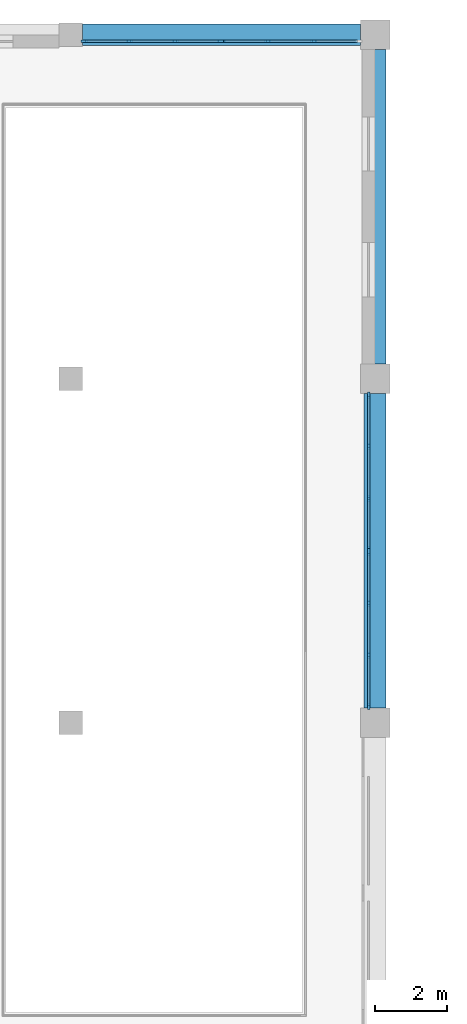
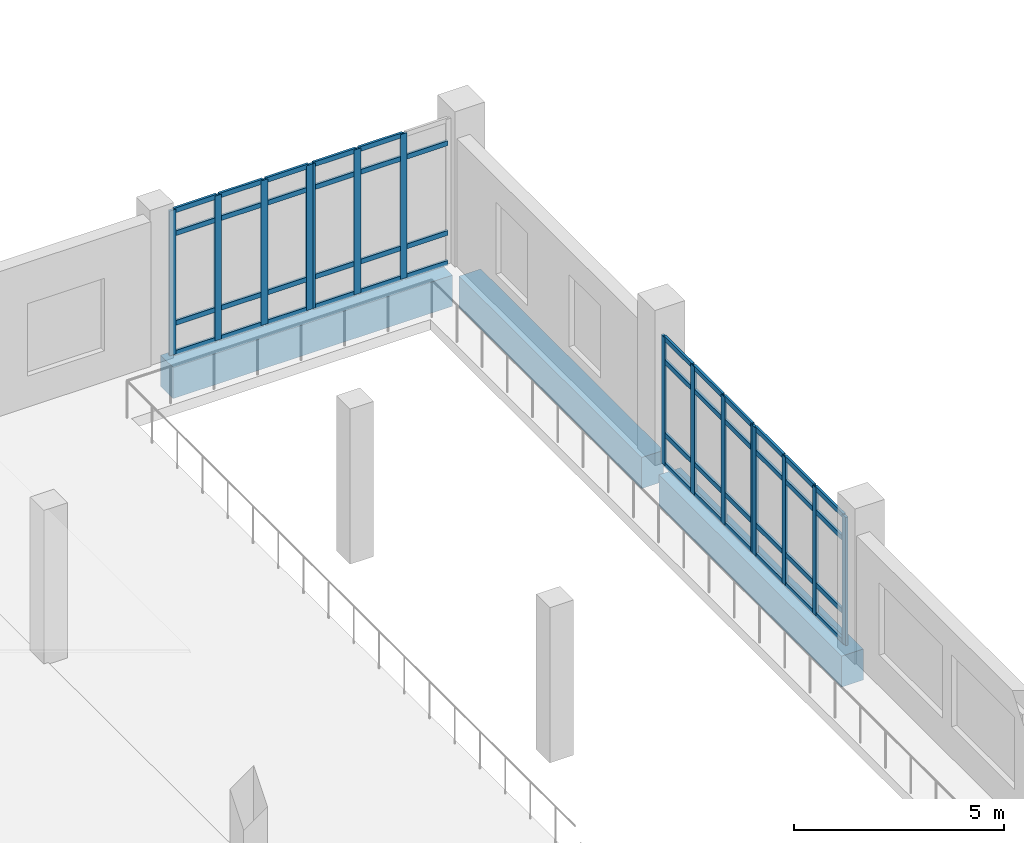
# One storey, part 18 of 54: 62 members, 3 beams, 4 elements without a shape of their own.
"""IFC4 building model written with IfcOpenShell, lengths in metres."""

from ifc_helpers import new_model, si_unit, direction, frame, origin, origin_2d, place, context, subcontext, project, spatial, rectangle, extrude, material, layer, layer_set, material_profile, profile_set, type_object, element, aggregate, save


model = new_model("IFC4")

# Units and contexts
model_context = context("Model", 3, precision=1e-05, world=origin(), true_north=direction((0.0, 1.0)))
body_context = subcontext(model_context, "Body", "Model", "MODEL_VIEW")
ifc_project = project(units=[si_unit("LENGTHUNIT", "METRE"), si_unit("AREAUNIT", "SQUARE_METRE"), si_unit("VOLUMEUNIT", "CUBIC_METRE"), si_unit("PLANEANGLEUNIT", "RADIAN"), si_unit("MASSUNIT", "GRAM", prefix="KILO")], contexts=[model_context])

# Site, building, storey
site_placement = place(None, origin())
site = spatial("IfcSite", under=ifc_project, at=site_placement, CompositionType="ELEMENT")
building_placement = place(site_placement, origin())
building = spatial("IfcBuilding", under=site, at=building_placement, Name="Kelarvand Opera House", CompositionType="ELEMENT")
storey_placement = place(building_placement, frame((0.0, 0.0, 15.0)))
storey = spatial("IfcBuildingStorey", under=building, at=storey_placement, Name="L03", CompositionType="ELEMENT", Elevation=15.0)

# Curtain wall, members
ifc_material_1 = material(Name="Thermally broken aluminium and low-E glazing", Category="aluminium")
ifc_layer_1 = layer(ifc_material_1, 0.179931640625, Name="Thermally broken aluminium and low-E glazing", Category="aluminium")
ifc_layer_set_1 = layer_set([ifc_layer_1], Name="Thermally broken aluminium and low-E glazing")
curtain_wall_type_1 = type_object("IfcCurtainWallType", Name="Unitised Low-E Curtain Wall 4326x3717 Mod 1350 CWF-20", PredefinedType="USERDEFINED", material=ifc_layer_set_1)
curtain_wall_1_placement = place(storey_placement, origin())
curtain_wall_1 = element("IfcCurtainWall", 1, at=curtain_wall_1_placement, inside=storey, type_object=curtain_wall_type_1, Name="V3 L03 Curtain Wall CWF-20 (87)", ObjectType="UNITISED CURTAIN WALL", PredefinedType="USERDEFINED")
ifc_material_2 = material(Name="Thermally broken anodised aluminium", Category="aluminium")
ifc_material_profile_1 = material_profile(ifc_material_2, rectangle(XDim=0.06494140625, YDim=0.179931640625, at=origin_2d()), Name="ALU MULLION 65x180", Category="aluminium")
ifc_profile_set_1 = profile_set([ifc_material_profile_1], Name="Thermally broken anodised aluminium")
member_type_1 = type_object("IfcMemberType", Name="Curtain Wall Mullion 65x180 Aluminium", PredefinedType="MULLION", material=ifc_profile_set_1)
member_1_placement = place(storey_placement, frame((50.820068359375, 115.047607421875, 0.0), z_axis=(0.0, 0.0, 1.0), x_axis=(1.0, 0.0, 0.0)))
member_1 = element("IfcMember", 2, at=member_1_placement, type_object=member_type_1, Name="CWF-20 mullion 1", PredefinedType="MULLION", context=body_context, shape_type="SweptSolid", body=[
    extrude(rectangle(XDim=0.06494140625, YDim=0.179931640625, at=origin_2d()), origin(), (0.0, 0.0, 1.0), 3.71728515625),
])
member_2_placement = place(storey_placement, frame((50.820068359375, 113.637939453125, 0.0), z_axis=(0.0, 0.0, 1.0), x_axis=(1.0, 0.0, 0.0)))
member_2 = element("IfcMember", 3, at=member_2_placement, type_object=member_type_1, Name="CWF-20 mullion 2", PredefinedType="MULLION", context=body_context, shape_type="SweptSolid", body=[
    extrude(rectangle(XDim=0.06494140625, YDim=0.179931640625, at=origin_2d()), origin(), (0.0, 0.0, 1.0), 3.71728515625),
])
member_3_placement = place(storey_placement, frame((50.820068359375, 112.196044921875, 0.0), z_axis=(0.0, 0.0, 1.0), x_axis=(1.0, 0.0, 0.0)))
member_3 = element("IfcMember", 4, at=member_3_placement, type_object=member_type_1, Name="CWF-20 mullion 3", PredefinedType="MULLION", context=body_context, shape_type="SweptSolid", body=[
    extrude(rectangle(XDim=0.06494140625, YDim=0.179931640625, at=origin_2d()), origin(), (0.0, 0.0, 1.0), 3.71728515625),
])
member_4_placement = place(storey_placement, frame((50.820068359375, 110.78662109375, 0.0), z_axis=(0.0, 0.0, 1.0), x_axis=(1.0, 0.0, 0.0)))
member_4 = element("IfcMember", 5, at=member_4_placement, type_object=member_type_1, Name="CWF-20 mullion 4", PredefinedType="MULLION", context=body_context, shape_type="SweptSolid", body=[
    extrude(rectangle(XDim=0.06494140625, YDim=0.179931640625, at=origin_2d()), origin(), (0.0, 0.0, 1.0), 3.71728515625),
])

curtain_wall_2_placement = place(storey_placement, origin())
curtain_wall_2 = element("IfcCurtainWall", 6, at=curtain_wall_2_placement, inside=storey, type_object=curtain_wall_type_1, Name="V3 L03 Curtain Wall CWF-20 (88)", ObjectType="UNITISED CURTAIN WALL", PredefinedType="USERDEFINED")
member_5_placement = place(storey_placement, frame((50.820068359375, 110.717529296875, 0.0), z_axis=(0.0, 0.0, 1.0), x_axis=(1.0, 0.0, 0.0)))
member_5 = element("IfcMember", 7, at=member_5_placement, type_object=member_type_1, Name="CWF-20 mullion 1", PredefinedType="MULLION", context=body_context, shape_type="SweptSolid", body=[
    extrude(rectangle(XDim=0.06494140625, YDim=0.179931640625, at=origin_2d()), origin(), (0.0, 0.0, 1.0), 3.71728515625),
])
member_6_placement = place(storey_placement, frame((50.820068359375, 109.306640625, 0.0), z_axis=(0.0, 0.0, 1.0), x_axis=(1.0, 0.0, 0.0)))
member_6 = element("IfcMember", 8, at=member_6_placement, type_object=member_type_1, Name="CWF-20 mullion 2", PredefinedType="MULLION", context=body_context, shape_type="SweptSolid", body=[
    extrude(rectangle(XDim=0.06494140625, YDim=0.179931640625, at=origin_2d()), origin(), (0.0, 0.0, 1.0), 3.71728515625),
])
member_7_placement = place(storey_placement, frame((50.820068359375, 107.86328125, 0.0), z_axis=(0.0, 0.0, 1.0), x_axis=(1.0, 0.0, 0.0)))
member_7 = element("IfcMember", 9, at=member_7_placement, type_object=member_type_1, Name="CWF-20 mullion 3", PredefinedType="MULLION", context=body_context, shape_type="SweptSolid", body=[
    extrude(rectangle(XDim=0.06494140625, YDim=0.179931640625, at=origin_2d()), origin(), (0.0, 0.0, 1.0), 3.71728515625),
])
member_8_placement = place(storey_placement, frame((50.820068359375, 106.452392578125, 0.0), z_axis=(0.0, 0.0, 1.0), x_axis=(1.0, 0.0, 0.0)))
member_8 = element("IfcMember", 10, at=member_8_placement, type_object=member_type_1, Name="CWF-20 mullion 4", PredefinedType="MULLION", context=body_context, shape_type="SweptSolid", body=[
    extrude(rectangle(XDim=0.06494140625, YDim=0.179931640625, at=origin_2d()), origin(), (0.0, 0.0, 1.0), 3.71728515625),
])

ifc_layer_2 = layer(ifc_material_1, 0.179931640625, Name="Thermally broken aluminium and low-E glazing", Category="aluminium")
ifc_layer_set_2 = layer_set([ifc_layer_2], Name="Thermally broken aluminium and low-E glazing")
curtain_wall_type_2 = type_object("IfcCurtainWallType", Name="Unitised Low-E Curtain Wall 3776x4200 Mod 1350 CWF-14", PredefinedType="USERDEFINED", material=ifc_layer_set_2)
curtain_wall_3_placement = place(storey_placement, origin())
curtain_wall_3 = element("IfcCurtainWall", 11, at=curtain_wall_3_placement, inside=storey, type_object=curtain_wall_type_2, Name="V3 L03 Curtain Wall CWF-14 (95)", ObjectType="UNITISED CURTAIN WALL", PredefinedType="USERDEFINED")
member_9_placement = place(storey_placement, frame((42.967529296875, 124.820068359375, 0.0), z_axis=(0.0, 0.0, 1.0), x_axis=(0.0, 1.0, 0.0)))
member_9 = element("IfcMember", 12, at=member_9_placement, type_object=member_type_1, Name="CWF-14 mullion 1", PredefinedType="MULLION", context=body_context, shape_type="SweptSolid", body=[
    extrude(rectangle(XDim=0.06494140625, YDim=0.179931640625, at=origin_2d()), origin(), (0.0, 0.0, 1.0), 4.199951171875),
])
member_10_placement = place(storey_placement, frame((44.207763671875, 124.820068359375, 0.0), z_axis=(0.0, 0.0, 1.0), x_axis=(0.0, 1.0, 0.0)))
member_10 = element("IfcMember", 13, at=member_10_placement, type_object=member_type_1, Name="CWF-14 mullion 2", PredefinedType="MULLION", context=body_context, shape_type="SweptSolid", body=[
    extrude(rectangle(XDim=0.06494140625, YDim=0.179931640625, at=origin_2d()), origin(), (0.0, 0.0, 1.0), 4.199951171875),
])
member_11_placement = place(storey_placement, frame((45.480712890625, 124.820068359375, 0.0), z_axis=(0.0, 0.0, 1.0), x_axis=(0.0, 1.0, 0.0)))
member_11 = element("IfcMember", 14, at=member_11_placement, type_object=member_type_1, Name="CWF-14 mullion 3", PredefinedType="MULLION", context=body_context, shape_type="SweptSolid", body=[
    extrude(rectangle(XDim=0.06494140625, YDim=0.179931640625, at=origin_2d()), origin(), (0.0, 0.0, 1.0), 4.199951171875),
])
member_12_placement = place(storey_placement, frame((46.720947265625, 124.820068359375, 0.0), z_axis=(0.0, 0.0, 1.0), x_axis=(0.0, 1.0, 0.0)))
member_12 = element("IfcMember", 15, at=member_12_placement, type_object=member_type_1, Name="CWF-14 mullion 4", PredefinedType="MULLION", context=body_context, shape_type="SweptSolid", body=[
    extrude(rectangle(XDim=0.06494140625, YDim=0.179931640625, at=origin_2d()), origin(), (0.0, 0.0, 1.0), 4.199951171875),
])

curtain_wall_4_placement = place(storey_placement, origin())
curtain_wall_4 = element("IfcCurtainWall", 16, at=curtain_wall_4_placement, inside=storey, type_object=curtain_wall_type_2, Name="V3 L03 Curtain Wall CWF-14 (96)", ObjectType="UNITISED CURTAIN WALL", PredefinedType="USERDEFINED")
member_13_placement = place(storey_placement, frame((46.7900390625, 124.820068359375, 0.0), z_axis=(0.0, 0.0, 1.0), x_axis=(0.0, 1.0, 0.0)))
member_13 = element("IfcMember", 17, at=member_13_placement, type_object=member_type_1, Name="CWF-14 mullion 1", PredefinedType="MULLION", context=body_context, shape_type="SweptSolid", body=[
    extrude(rectangle(XDim=0.06494140625, YDim=0.179931640625, at=origin_2d()), origin(), (0.0, 0.0, 1.0), 4.199951171875),
])
member_14_placement = place(storey_placement, frame((48.03173828125, 124.820068359375, 0.0), z_axis=(0.0, 0.0, 1.0), x_axis=(0.0, 1.0, 0.0)))
member_14 = element("IfcMember", 18, at=member_14_placement, type_object=member_type_1, Name="CWF-14 mullion 2", PredefinedType="MULLION", context=body_context, shape_type="SweptSolid", body=[
    extrude(rectangle(XDim=0.06494140625, YDim=0.179931640625, at=origin_2d()), origin(), (0.0, 0.0, 1.0), 4.199951171875),
])
member_15_placement = place(storey_placement, frame((49.305908203125, 124.820068359375, 0.0), z_axis=(0.0, 0.0, 1.0), x_axis=(0.0, 1.0, 0.0)))
member_15 = element("IfcMember", 19, at=member_15_placement, type_object=member_type_1, Name="CWF-14 mullion 3", PredefinedType="MULLION", context=body_context, shape_type="SweptSolid", body=[
    extrude(rectangle(XDim=0.06494140625, YDim=0.179931640625, at=origin_2d()), origin(), (0.0, 0.0, 1.0), 4.199951171875),
])

# Member
ifc_material_profile_2 = material_profile(ifc_material_2, rectangle(XDim=0.06494140625, YDim=0.139892578125, at=origin_2d()), Name="ALU TRANSOM 65x140", Category="aluminium")
ifc_profile_set_2 = profile_set([ifc_material_profile_2], Name="Thermally broken anodised aluminium")
member_type_2 = type_object("IfcMemberType", Name="Curtain Wall Transom 65x140 Aluminium", PredefinedType="USERDEFINED", material=ifc_profile_set_2)
member_16_placement = place(storey_placement, frame((50.820068359375, 115.014892578125, 0.032470703125), z_axis=(0.0, -1.0, 0.0), x_axis=(1.0, 0.0, 0.0)))
member_16 = element("IfcMember", 20, at=member_16_placement, type_object=member_type_2, Name="CWF-20 transom 1.1", ObjectType="TRANSOM", PredefinedType="USERDEFINED", context=body_context, shape_type="SweptSolid", body=[
    extrude(rectangle(XDim=0.06494140625, YDim=0.139892578125, at=origin_2d()), origin(), (0.0, 0.0, 1.0), 1.344482421875),
])

member_17_placement = place(storey_placement, frame((50.820068359375, 115.014892578125, 0.89990234375), z_axis=(0.0, -1.0, 0.0), x_axis=(1.0, 0.0, 0.0)))
member_17 = element("IfcMember", 21, at=member_17_placement, type_object=member_type_2, Name="CWF-20 transom 1.2", ObjectType="TRANSOM", PredefinedType="USERDEFINED", context=body_context, shape_type="SweptSolid", body=[
    extrude(rectangle(XDim=0.06494140625, YDim=0.139892578125, at=origin_2d()), origin(), (0.0, 0.0, 1.0), 1.344482421875),
])

member_18_placement = place(storey_placement, frame((50.820068359375, 115.014892578125, 3.01708984375), z_axis=(0.0, -1.0, 0.0), x_axis=(1.0, 0.0, 0.0)))
member_18 = element("IfcMember", 22, at=member_18_placement, type_object=member_type_2, Name="CWF-20 transom 1.3", ObjectType="TRANSOM", PredefinedType="USERDEFINED", context=body_context, shape_type="SweptSolid", body=[
    extrude(rectangle(XDim=0.06494140625, YDim=0.139892578125, at=origin_2d()), origin(), (0.0, 0.0, 1.0), 1.344482421875),
])

member_19_placement = place(storey_placement, frame((50.820068359375, 115.014892578125, 3.684814453125), z_axis=(0.0, -1.0, 0.0), x_axis=(1.0, 0.0, 0.0)))
member_19 = element("IfcMember", 23, at=member_19_placement, type_object=member_type_2, Name="CWF-20 transom 1.4", ObjectType="TRANSOM", PredefinedType="USERDEFINED", context=body_context, shape_type="SweptSolid", body=[
    extrude(rectangle(XDim=0.06494140625, YDim=0.139892578125, at=origin_2d()), origin(), (0.0, 0.0, 1.0), 1.344482421875),
])

member_20_placement = place(storey_placement, frame((50.820068359375, 113.60546875, 0.032470703125), z_axis=(0.0, -1.0, 0.0), x_axis=(1.0, 0.0, 0.0)))
member_20 = element("IfcMember", 24, at=member_20_placement, type_object=member_type_2, Name="CWF-20 transom 2.1", ObjectType="TRANSOM", PredefinedType="USERDEFINED", context=body_context, shape_type="SweptSolid", body=[
    extrude(rectangle(XDim=0.06494140625, YDim=0.139892578125, at=origin_2d()), origin(), (0.0, 0.0, 1.0), 1.376953125),
])

member_21_placement = place(storey_placement, frame((50.820068359375, 113.60546875, 0.89990234375), z_axis=(0.0, -1.0, 0.0), x_axis=(1.0, 0.0, 0.0)))
member_21 = element("IfcMember", 25, at=member_21_placement, type_object=member_type_2, Name="CWF-20 transom 2.2", ObjectType="TRANSOM", PredefinedType="USERDEFINED", context=body_context, shape_type="SweptSolid", body=[
    extrude(rectangle(XDim=0.06494140625, YDim=0.139892578125, at=origin_2d()), origin(), (0.0, 0.0, 1.0), 1.376953125),
])

member_22_placement = place(storey_placement, frame((50.820068359375, 113.60546875, 3.01708984375), z_axis=(0.0, -1.0, 0.0), x_axis=(1.0, 0.0, 0.0)))
member_22 = element("IfcMember", 26, at=member_22_placement, type_object=member_type_2, Name="CWF-20 transom 2.3", ObjectType="TRANSOM", PredefinedType="USERDEFINED", context=body_context, shape_type="SweptSolid", body=[
    extrude(rectangle(XDim=0.06494140625, YDim=0.139892578125, at=origin_2d()), origin(), (0.0, 0.0, 1.0), 1.376953125),
])

member_23_placement = place(storey_placement, frame((50.820068359375, 113.60546875, 3.684814453125), z_axis=(0.0, -1.0, 0.0), x_axis=(1.0, 0.0, 0.0)))
member_23 = element("IfcMember", 27, at=member_23_placement, type_object=member_type_2, Name="CWF-20 transom 2.4", ObjectType="TRANSOM", PredefinedType="USERDEFINED", context=body_context, shape_type="SweptSolid", body=[
    extrude(rectangle(XDim=0.06494140625, YDim=0.139892578125, at=origin_2d()), origin(), (0.0, 0.0, 1.0), 1.376953125),
])

member_24_placement = place(storey_placement, frame((50.820068359375, 112.16357421875, 0.032470703125), z_axis=(0.0, -1.0, 0.0), x_axis=(1.0, 0.0, 0.0)))
member_24 = element("IfcMember", 28, at=member_24_placement, type_object=member_type_2, Name="CWF-20 transom 3.1", ObjectType="TRANSOM", PredefinedType="USERDEFINED", context=body_context, shape_type="SweptSolid", body=[
    extrude(rectangle(XDim=0.06494140625, YDim=0.139892578125, at=origin_2d()), origin(), (0.0, 0.0, 1.0), 1.344482421875),
])

member_25_placement = place(storey_placement, frame((50.820068359375, 112.16357421875, 0.89990234375), z_axis=(0.0, -1.0, 0.0), x_axis=(1.0, 0.0, 0.0)))
member_25 = element("IfcMember", 29, at=member_25_placement, type_object=member_type_2, Name="CWF-20 transom 3.2", ObjectType="TRANSOM", PredefinedType="USERDEFINED", context=body_context, shape_type="SweptSolid", body=[
    extrude(rectangle(XDim=0.06494140625, YDim=0.139892578125, at=origin_2d()), origin(), (0.0, 0.0, 1.0), 1.344482421875),
])

member_26_placement = place(storey_placement, frame((50.820068359375, 112.16357421875, 3.01708984375), z_axis=(0.0, -1.0, 0.0), x_axis=(1.0, 0.0, 0.0)))
member_26 = element("IfcMember", 30, at=member_26_placement, type_object=member_type_2, Name="CWF-20 transom 3.3", ObjectType="TRANSOM", PredefinedType="USERDEFINED", context=body_context, shape_type="SweptSolid", body=[
    extrude(rectangle(XDim=0.06494140625, YDim=0.139892578125, at=origin_2d()), origin(), (0.0, 0.0, 1.0), 1.344482421875),
])

member_27_placement = place(storey_placement, frame((50.820068359375, 112.16357421875, 3.684814453125), z_axis=(0.0, -1.0, 0.0), x_axis=(1.0, 0.0, 0.0)))
member_27 = element("IfcMember", 31, at=member_27_placement, type_object=member_type_2, Name="CWF-20 transom 3.4", ObjectType="TRANSOM", PredefinedType="USERDEFINED", context=body_context, shape_type="SweptSolid", body=[
    extrude(rectangle(XDim=0.06494140625, YDim=0.139892578125, at=origin_2d()), origin(), (0.0, 0.0, 1.0), 1.344482421875),
])

aggregate(curtain_wall_1, [member_1, member_2, member_3, member_4, member_16, member_17, member_18, member_19, member_20, member_21, member_22, member_23, member_24, member_25, member_26, member_27])

member_28_placement = place(storey_placement, frame((50.820068359375, 110.68505859375, 0.032470703125), z_axis=(0.0, -1.0, 0.0), x_axis=(1.0, 0.0, 0.0)))
member_28 = element("IfcMember", 32, at=member_28_placement, type_object=member_type_2, Name="CWF-20 transom 1.1", ObjectType="TRANSOM", PredefinedType="USERDEFINED", context=body_context, shape_type="SweptSolid", body=[
    extrude(rectangle(XDim=0.06494140625, YDim=0.139892578125, at=origin_2d()), origin(), (0.0, 0.0, 1.0), 1.345947265625),
])

member_29_placement = place(storey_placement, frame((50.820068359375, 110.68505859375, 0.89990234375), z_axis=(0.0, -1.0, 0.0), x_axis=(1.0, 0.0, 0.0)))
member_29 = element("IfcMember", 33, at=member_29_placement, type_object=member_type_2, Name="CWF-20 transom 1.2", ObjectType="TRANSOM", PredefinedType="USERDEFINED", context=body_context, shape_type="SweptSolid", body=[
    extrude(rectangle(XDim=0.06494140625, YDim=0.139892578125, at=origin_2d()), origin(), (0.0, 0.0, 1.0), 1.345947265625),
])

member_30_placement = place(storey_placement, frame((50.820068359375, 110.68505859375, 3.01708984375), z_axis=(0.0, -1.0, 0.0), x_axis=(1.0, 0.0, 0.0)))
member_30 = element("IfcMember", 34, at=member_30_placement, type_object=member_type_2, Name="CWF-20 transom 1.3", ObjectType="TRANSOM", PredefinedType="USERDEFINED", context=body_context, shape_type="SweptSolid", body=[
    extrude(rectangle(XDim=0.06494140625, YDim=0.139892578125, at=origin_2d()), origin(), (0.0, 0.0, 1.0), 1.345947265625),
])

member_31_placement = place(storey_placement, frame((50.820068359375, 110.68505859375, 3.684814453125), z_axis=(0.0, -1.0, 0.0), x_axis=(1.0, 0.0, 0.0)))
member_31 = element("IfcMember", 35, at=member_31_placement, type_object=member_type_2, Name="CWF-20 transom 1.4", ObjectType="TRANSOM", PredefinedType="USERDEFINED", context=body_context, shape_type="SweptSolid", body=[
    extrude(rectangle(XDim=0.06494140625, YDim=0.139892578125, at=origin_2d()), origin(), (0.0, 0.0, 1.0), 1.345947265625),
])

member_32_placement = place(storey_placement, frame((50.820068359375, 109.274169921875, 0.032470703125), z_axis=(0.0, -1.0, 0.0), x_axis=(1.0, 0.0, 0.0)))
member_32 = element("IfcMember", 36, at=member_32_placement, type_object=member_type_2, Name="CWF-20 transom 2.1", ObjectType="TRANSOM", PredefinedType="USERDEFINED", context=body_context, shape_type="SweptSolid", body=[
    extrude(rectangle(XDim=0.06494140625, YDim=0.139892578125, at=origin_2d()), origin(), (0.0, 0.0, 1.0), 1.37841796875),
])

member_33_placement = place(storey_placement, frame((50.820068359375, 109.274169921875, 0.89990234375), z_axis=(0.0, -1.0, 0.0), x_axis=(1.0, 0.0, 0.0)))
member_33 = element("IfcMember", 37, at=member_33_placement, type_object=member_type_2, Name="CWF-20 transom 2.2", ObjectType="TRANSOM", PredefinedType="USERDEFINED", context=body_context, shape_type="SweptSolid", body=[
    extrude(rectangle(XDim=0.06494140625, YDim=0.139892578125, at=origin_2d()), origin(), (0.0, 0.0, 1.0), 1.37841796875),
])

member_34_placement = place(storey_placement, frame((50.820068359375, 109.274169921875, 3.01708984375), z_axis=(0.0, -1.0, 0.0), x_axis=(1.0, 0.0, 0.0)))
member_34 = element("IfcMember", 38, at=member_34_placement, type_object=member_type_2, Name="CWF-20 transom 2.3", ObjectType="TRANSOM", PredefinedType="USERDEFINED", context=body_context, shape_type="SweptSolid", body=[
    extrude(rectangle(XDim=0.06494140625, YDim=0.139892578125, at=origin_2d()), origin(), (0.0, 0.0, 1.0), 1.37841796875),
])

member_35_placement = place(storey_placement, frame((50.820068359375, 109.274169921875, 3.684814453125), z_axis=(0.0, -1.0, 0.0), x_axis=(1.0, 0.0, 0.0)))
member_35 = element("IfcMember", 39, at=member_35_placement, type_object=member_type_2, Name="CWF-20 transom 2.4", ObjectType="TRANSOM", PredefinedType="USERDEFINED", context=body_context, shape_type="SweptSolid", body=[
    extrude(rectangle(XDim=0.06494140625, YDim=0.139892578125, at=origin_2d()), origin(), (0.0, 0.0, 1.0), 1.37841796875),
])

member_36_placement = place(storey_placement, frame((50.820068359375, 107.830810546875, 0.032470703125), z_axis=(0.0, -1.0, 0.0), x_axis=(1.0, 0.0, 0.0)))
member_36 = element("IfcMember", 40, at=member_36_placement, type_object=member_type_2, Name="CWF-20 transom 3.1", ObjectType="TRANSOM", PredefinedType="USERDEFINED", context=body_context, shape_type="SweptSolid", body=[
    extrude(rectangle(XDim=0.06494140625, YDim=0.139892578125, at=origin_2d()), origin(), (0.0, 0.0, 1.0), 1.345703125),
])

member_37_placement = place(storey_placement, frame((50.820068359375, 107.830810546875, 0.89990234375), z_axis=(0.0, -1.0, 0.0), x_axis=(1.0, 0.0, 0.0)))
member_37 = element("IfcMember", 41, at=member_37_placement, type_object=member_type_2, Name="CWF-20 transom 3.2", ObjectType="TRANSOM", PredefinedType="USERDEFINED", context=body_context, shape_type="SweptSolid", body=[
    extrude(rectangle(XDim=0.06494140625, YDim=0.139892578125, at=origin_2d()), origin(), (0.0, 0.0, 1.0), 1.345703125),
])

member_38_placement = place(storey_placement, frame((50.820068359375, 107.830810546875, 3.01708984375), z_axis=(0.0, -1.0, 0.0), x_axis=(1.0, 0.0, 0.0)))
member_38 = element("IfcMember", 42, at=member_38_placement, type_object=member_type_2, Name="CWF-20 transom 3.3", ObjectType="TRANSOM", PredefinedType="USERDEFINED", context=body_context, shape_type="SweptSolid", body=[
    extrude(rectangle(XDim=0.06494140625, YDim=0.139892578125, at=origin_2d()), origin(), (0.0, 0.0, 1.0), 1.345703125),
])

member_39_placement = place(storey_placement, frame((50.820068359375, 107.830810546875, 3.684814453125), z_axis=(0.0, -1.0, 0.0), x_axis=(1.0, 0.0, 0.0)))
member_39 = element("IfcMember", 43, at=member_39_placement, type_object=member_type_2, Name="CWF-20 transom 3.4", ObjectType="TRANSOM", PredefinedType="USERDEFINED", context=body_context, shape_type="SweptSolid", body=[
    extrude(rectangle(XDim=0.06494140625, YDim=0.139892578125, at=origin_2d()), origin(), (0.0, 0.0, 1.0), 1.345703125),
])

aggregate(curtain_wall_2, [member_5, member_6, member_7, member_8, member_28, member_29, member_30, member_31, member_32, member_33, member_34, member_35, member_36, member_37, member_38, member_39])

member_40_placement = place(storey_placement, frame((43.0, 124.820068359375, 0.032470703125), z_axis=(1.0, 0.0, 0.0), x_axis=(0.0, 1.0, 0.0)))
member_40 = element("IfcMember", 44, at=member_40_placement, type_object=member_type_2, Name="CWF-14 transom 1.1", ObjectType="TRANSOM", PredefinedType="USERDEFINED", context=body_context, shape_type="SweptSolid", body=[
    extrude(rectangle(XDim=0.06494140625, YDim=0.139892578125, at=origin_2d()), origin(), (0.0, 0.0, 1.0), 1.17529296875),
])

member_41_placement = place(storey_placement, frame((43.0, 124.820068359375, 0.89990234375), z_axis=(1.0, 0.0, 0.0), x_axis=(0.0, 1.0, 0.0)))
member_41 = element("IfcMember", 45, at=member_41_placement, type_object=member_type_2, Name="CWF-14 transom 1.2", ObjectType="TRANSOM", PredefinedType="USERDEFINED", context=body_context, shape_type="SweptSolid", body=[
    extrude(rectangle(XDim=0.06494140625, YDim=0.139892578125, at=origin_2d()), origin(), (0.0, 0.0, 1.0), 1.17529296875),
])

member_42_placement = place(storey_placement, frame((43.0, 124.820068359375, 3.5), z_axis=(1.0, 0.0, 0.0), x_axis=(0.0, 1.0, 0.0)))
member_42 = element("IfcMember", 46, at=member_42_placement, type_object=member_type_2, Name="CWF-14 transom 1.3", ObjectType="TRANSOM", PredefinedType="USERDEFINED", context=body_context, shape_type="SweptSolid", body=[
    extrude(rectangle(XDim=0.06494140625, YDim=0.139892578125, at=origin_2d()), origin(), (0.0, 0.0, 1.0), 1.17529296875),
])

member_43_placement = place(storey_placement, frame((43.0, 124.820068359375, 4.16748046875), z_axis=(1.0, 0.0, 0.0), x_axis=(0.0, 1.0, 0.0)))
member_43 = element("IfcMember", 47, at=member_43_placement, type_object=member_type_2, Name="CWF-14 transom 1.4", ObjectType="TRANSOM", PredefinedType="USERDEFINED", context=body_context, shape_type="SweptSolid", body=[
    extrude(rectangle(XDim=0.06494140625, YDim=0.139892578125, at=origin_2d()), origin(), (0.0, 0.0, 1.0), 1.17529296875),
])

member_44_placement = place(storey_placement, frame((44.240234375, 124.820068359375, 0.032470703125), z_axis=(1.0, 0.0, 0.0), x_axis=(0.0, 1.0, 0.0)))
member_44 = element("IfcMember", 48, at=member_44_placement, type_object=member_type_2, Name="CWF-14 transom 2.1", ObjectType="TRANSOM", PredefinedType="USERDEFINED", context=body_context, shape_type="SweptSolid", body=[
    extrude(rectangle(XDim=0.06494140625, YDim=0.139892578125, at=origin_2d()), origin(), (0.0, 0.0, 1.0), 1.2080078125),
])

member_45_placement = place(storey_placement, frame((44.240234375, 124.820068359375, 0.89990234375), z_axis=(1.0, 0.0, 0.0), x_axis=(0.0, 1.0, 0.0)))
member_45 = element("IfcMember", 49, at=member_45_placement, type_object=member_type_2, Name="CWF-14 transom 2.2", ObjectType="TRANSOM", PredefinedType="USERDEFINED", context=body_context, shape_type="SweptSolid", body=[
    extrude(rectangle(XDim=0.06494140625, YDim=0.139892578125, at=origin_2d()), origin(), (0.0, 0.0, 1.0), 1.2080078125),
])

member_46_placement = place(storey_placement, frame((44.240234375, 124.820068359375, 3.5), z_axis=(1.0, 0.0, 0.0), x_axis=(0.0, 1.0, 0.0)))
member_46 = element("IfcMember", 50, at=member_46_placement, type_object=member_type_2, Name="CWF-14 transom 2.3", ObjectType="TRANSOM", PredefinedType="USERDEFINED", context=body_context, shape_type="SweptSolid", body=[
    extrude(rectangle(XDim=0.06494140625, YDim=0.139892578125, at=origin_2d()), origin(), (0.0, 0.0, 1.0), 1.2080078125),
])

member_47_placement = place(storey_placement, frame((44.240234375, 124.820068359375, 4.16748046875), z_axis=(1.0, 0.0, 0.0), x_axis=(0.0, 1.0, 0.0)))
member_47 = element("IfcMember", 51, at=member_47_placement, type_object=member_type_2, Name="CWF-14 transom 2.4", ObjectType="TRANSOM", PredefinedType="USERDEFINED", context=body_context, shape_type="SweptSolid", body=[
    extrude(rectangle(XDim=0.06494140625, YDim=0.139892578125, at=origin_2d()), origin(), (0.0, 0.0, 1.0), 1.2080078125),
])

member_48_placement = place(storey_placement, frame((45.51318359375, 124.820068359375, 0.032470703125), z_axis=(1.0, 0.0, 0.0), x_axis=(0.0, 1.0, 0.0)))
member_48 = element("IfcMember", 52, at=member_48_placement, type_object=member_type_2, Name="CWF-14 transom 3.1", ObjectType="TRANSOM", PredefinedType="USERDEFINED", context=body_context, shape_type="SweptSolid", body=[
    extrude(rectangle(XDim=0.06494140625, YDim=0.139892578125, at=origin_2d()), origin(), (0.0, 0.0, 1.0), 1.17529296875),
])

member_49_placement = place(storey_placement, frame((45.51318359375, 124.820068359375, 0.89990234375), z_axis=(1.0, 0.0, 0.0), x_axis=(0.0, 1.0, 0.0)))
member_49 = element("IfcMember", 53, at=member_49_placement, type_object=member_type_2, Name="CWF-14 transom 3.2", ObjectType="TRANSOM", PredefinedType="USERDEFINED", context=body_context, shape_type="SweptSolid", body=[
    extrude(rectangle(XDim=0.06494140625, YDim=0.139892578125, at=origin_2d()), origin(), (0.0, 0.0, 1.0), 1.17529296875),
])

member_50_placement = place(storey_placement, frame((45.51318359375, 124.820068359375, 3.5), z_axis=(1.0, 0.0, 0.0), x_axis=(0.0, 1.0, 0.0)))
member_50 = element("IfcMember", 54, at=member_50_placement, type_object=member_type_2, Name="CWF-14 transom 3.3", ObjectType="TRANSOM", PredefinedType="USERDEFINED", context=body_context, shape_type="SweptSolid", body=[
    extrude(rectangle(XDim=0.06494140625, YDim=0.139892578125, at=origin_2d()), origin(), (0.0, 0.0, 1.0), 1.17529296875),
])

member_51_placement = place(storey_placement, frame((45.51318359375, 124.820068359375, 4.16748046875), z_axis=(1.0, 0.0, 0.0), x_axis=(0.0, 1.0, 0.0)))
member_51 = element("IfcMember", 55, at=member_51_placement, type_object=member_type_2, Name="CWF-14 transom 3.4", ObjectType="TRANSOM", PredefinedType="USERDEFINED", context=body_context, shape_type="SweptSolid", body=[
    extrude(rectangle(XDim=0.06494140625, YDim=0.139892578125, at=origin_2d()), origin(), (0.0, 0.0, 1.0), 1.17529296875),
])

aggregate(curtain_wall_3, [member_9, member_10, member_11, member_12, member_40, member_41, member_42, member_43, member_44, member_45, member_46, member_47, member_48, member_49, member_50, member_51])

member_52_placement = place(storey_placement, frame((46.822509765625, 124.820068359375, 0.032470703125), z_axis=(1.0, 0.0, 0.0), x_axis=(0.0, 1.0, 0.0)))
member_52 = element("IfcMember", 56, at=member_52_placement, type_object=member_type_2, Name="CWF-14 transom 1.1", ObjectType="TRANSOM", PredefinedType="USERDEFINED", context=body_context, shape_type="SweptSolid", body=[
    extrude(rectangle(XDim=0.06494140625, YDim=0.139892578125, at=origin_2d()), origin(), (0.0, 0.0, 1.0), 1.1767578125),
])

member_53_placement = place(storey_placement, frame((46.822509765625, 124.820068359375, 0.89990234375), z_axis=(1.0, 0.0, 0.0), x_axis=(0.0, 1.0, 0.0)))
member_53 = element("IfcMember", 57, at=member_53_placement, type_object=member_type_2, Name="CWF-14 transom 1.2", ObjectType="TRANSOM", PredefinedType="USERDEFINED", context=body_context, shape_type="SweptSolid", body=[
    extrude(rectangle(XDim=0.06494140625, YDim=0.139892578125, at=origin_2d()), origin(), (0.0, 0.0, 1.0), 1.1767578125),
])

member_54_placement = place(storey_placement, frame((46.822509765625, 124.820068359375, 3.5), z_axis=(1.0, 0.0, 0.0), x_axis=(0.0, 1.0, 0.0)))
member_54 = element("IfcMember", 58, at=member_54_placement, type_object=member_type_2, Name="CWF-14 transom 1.3", ObjectType="TRANSOM", PredefinedType="USERDEFINED", context=body_context, shape_type="SweptSolid", body=[
    extrude(rectangle(XDim=0.06494140625, YDim=0.139892578125, at=origin_2d()), origin(), (0.0, 0.0, 1.0), 1.1767578125),
])

member_55_placement = place(storey_placement, frame((46.822509765625, 124.820068359375, 4.16748046875), z_axis=(1.0, 0.0, 0.0), x_axis=(0.0, 1.0, 0.0)))
member_55 = element("IfcMember", 59, at=member_55_placement, type_object=member_type_2, Name="CWF-14 transom 1.4", ObjectType="TRANSOM", PredefinedType="USERDEFINED", context=body_context, shape_type="SweptSolid", body=[
    extrude(rectangle(XDim=0.06494140625, YDim=0.139892578125, at=origin_2d()), origin(), (0.0, 0.0, 1.0), 1.1767578125),
])

member_56_placement = place(storey_placement, frame((48.064208984375, 124.820068359375, 0.032470703125), z_axis=(1.0, 0.0, 0.0), x_axis=(0.0, 1.0, 0.0)))
member_56 = element("IfcMember", 60, at=member_56_placement, type_object=member_type_2, Name="CWF-14 transom 2.1", ObjectType="TRANSOM", PredefinedType="USERDEFINED", context=body_context, shape_type="SweptSolid", body=[
    extrude(rectangle(XDim=0.06494140625, YDim=0.139892578125, at=origin_2d()), origin(), (0.0, 0.0, 1.0), 1.209228515625),
])

member_57_placement = place(storey_placement, frame((48.064208984375, 124.820068359375, 0.89990234375), z_axis=(1.0, 0.0, 0.0), x_axis=(0.0, 1.0, 0.0)))
member_57 = element("IfcMember", 61, at=member_57_placement, type_object=member_type_2, Name="CWF-14 transom 2.2", ObjectType="TRANSOM", PredefinedType="USERDEFINED", context=body_context, shape_type="SweptSolid", body=[
    extrude(rectangle(XDim=0.06494140625, YDim=0.139892578125, at=origin_2d()), origin(), (0.0, 0.0, 1.0), 1.209228515625),
])

member_58_placement = place(storey_placement, frame((48.064208984375, 124.820068359375, 3.5), z_axis=(1.0, 0.0, 0.0), x_axis=(0.0, 1.0, 0.0)))
member_58 = element("IfcMember", 62, at=member_58_placement, type_object=member_type_2, Name="CWF-14 transom 2.3", ObjectType="TRANSOM", PredefinedType="USERDEFINED", context=body_context, shape_type="SweptSolid", body=[
    extrude(rectangle(XDim=0.06494140625, YDim=0.139892578125, at=origin_2d()), origin(), (0.0, 0.0, 1.0), 1.209228515625),
])

member_59_placement = place(storey_placement, frame((48.064208984375, 124.820068359375, 4.16748046875), z_axis=(1.0, 0.0, 0.0), x_axis=(0.0, 1.0, 0.0)))
member_59 = element("IfcMember", 63, at=member_59_placement, type_object=member_type_2, Name="CWF-14 transom 2.4", ObjectType="TRANSOM", PredefinedType="USERDEFINED", context=body_context, shape_type="SweptSolid", body=[
    extrude(rectangle(XDim=0.06494140625, YDim=0.139892578125, at=origin_2d()), origin(), (0.0, 0.0, 1.0), 1.209228515625),
])

member_60_placement = place(storey_placement, frame((49.33837890625, 124.820068359375, 0.032470703125), z_axis=(1.0, 0.0, 0.0), x_axis=(0.0, 1.0, 0.0)))
member_60 = element("IfcMember", 64, at=member_60_placement, type_object=member_type_2, Name="CWF-14 transom 3.1", ObjectType="TRANSOM", PredefinedType="USERDEFINED", context=body_context, shape_type="SweptSolid", body=[
    extrude(rectangle(XDim=0.06494140625, YDim=0.139892578125, at=origin_2d()), origin(), (0.0, 0.0, 1.0), 1.176513671875),
])

member_61_placement = place(storey_placement, frame((49.33837890625, 124.820068359375, 0.89990234375), z_axis=(1.0, 0.0, 0.0), x_axis=(0.0, 1.0, 0.0)))
member_61 = element("IfcMember", 65, at=member_61_placement, type_object=member_type_2, Name="CWF-14 transom 3.2", ObjectType="TRANSOM", PredefinedType="USERDEFINED", context=body_context, shape_type="SweptSolid", body=[
    extrude(rectangle(XDim=0.06494140625, YDim=0.139892578125, at=origin_2d()), origin(), (0.0, 0.0, 1.0), 1.176513671875),
])

member_62_placement = place(storey_placement, frame((49.33837890625, 124.820068359375, 3.5), z_axis=(1.0, 0.0, 0.0), x_axis=(0.0, 1.0, 0.0)))
member_62 = element("IfcMember", 66, at=member_62_placement, type_object=member_type_2, Name="CWF-14 transom 3.3", ObjectType="TRANSOM", PredefinedType="USERDEFINED", context=body_context, shape_type="SweptSolid", body=[
    extrude(rectangle(XDim=0.06494140625, YDim=0.139892578125, at=origin_2d()), origin(), (0.0, 0.0, 1.0), 1.176513671875),
])

aggregate(curtain_wall_4, [member_13, member_14, member_15, member_52, member_53, member_54, member_55, member_56, member_57, member_58, member_59, member_60, member_61, member_62])

# Beams
ifc_material_3 = material(Name="Concrete C40/50", Category="concrete")
ifc_material_profile_3 = material_profile(ifc_material_3, rectangle(XDim=0.60009765625, YDim=0.89990234375, at=origin_2d()), Name="RC 600x900", Category="concrete")
ifc_profile_set_3 = profile_set([ifc_material_profile_3], Name="Concrete C40/50")
beam_type = type_object("IfcBeamType", Name="Structural Spandrel RC 600x900 SP-RC600x900E", PredefinedType="SPANDREL", material=ifc_profile_set_3)
beam_placement = place(storey_placement, frame((42.925048828125, 125.0, -0.75), z_axis=(1.0, 0.0, 0.0), x_axis=(0.0, 1.0, 0.0)))
element("IfcBeam", 67, at=beam_placement, inside=storey, type_object=beam_type, Name="V3 L03 Beam SP-RC600x900E", PredefinedType="SPANDREL", context=body_context, shape_type="SweptSolid", body=[
    extrude(rectangle(XDim=0.60009765625, YDim=0.89990234375, at=origin_2d()), origin(), (0.0, 0.0, 1.0), 7.6650390625),
])
for number, where, z_axis, x_axis, name in (
    (68, (51.0, 106.409912109375, -0.75), (0.0, 1.0, 0.0), (-1.0, 0.0, 0.0), "V3 L03 Beam SP-RC600x900E"),
    (69, (51.0, 115.909912109375, -0.75), (0.0, 1.0, 0.0), (-1.0, 0.0, 0.0), "V3 L03 Beam SP-RC600x900E"),
):
    element("IfcBeam", number, at=place(storey_placement, frame(where, z_axis=z_axis, x_axis=x_axis)), inside=storey, type_object=beam_type, Name=name, PredefinedType="SPANDREL", context=body_context, shape_type="SweptSolid", body=[
        extrude(rectangle(XDim=0.60009765625, YDim=0.89990234375, at=origin_2d()), origin(), (0.0, 0.0, 1.0), 8.68017578125),
    ])

save(model, "model.ifc")
